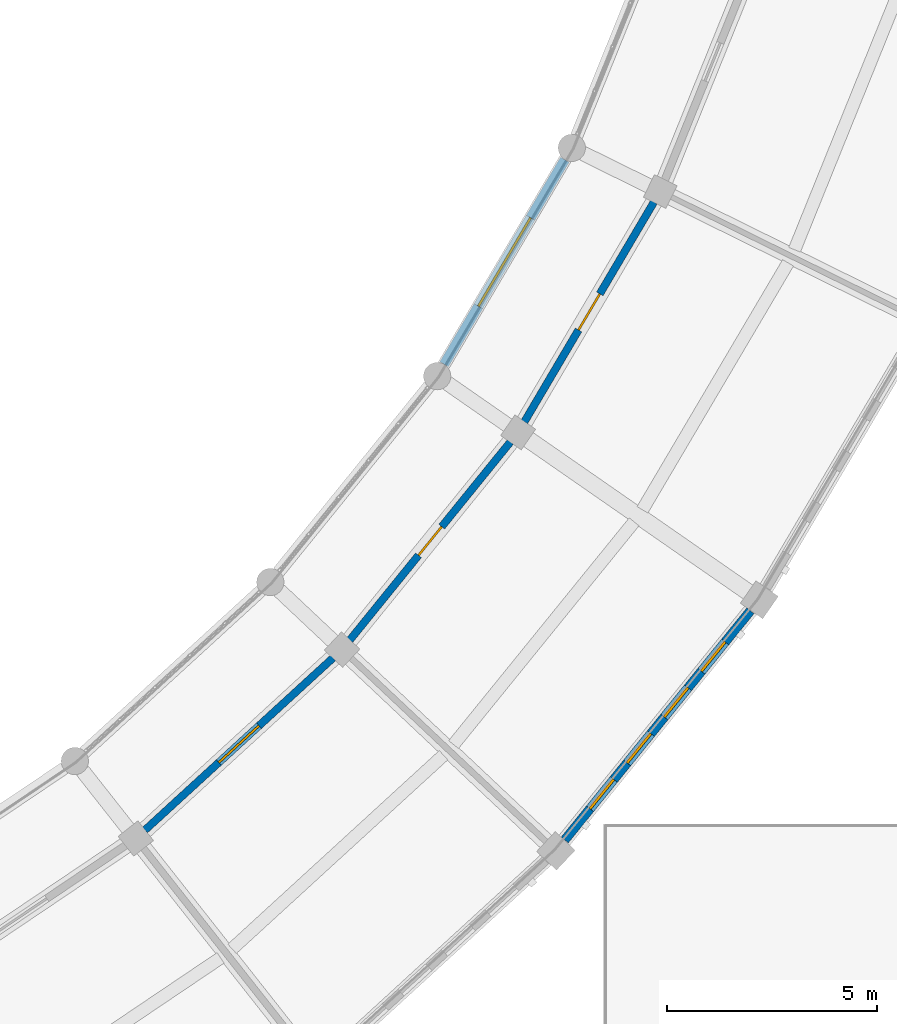
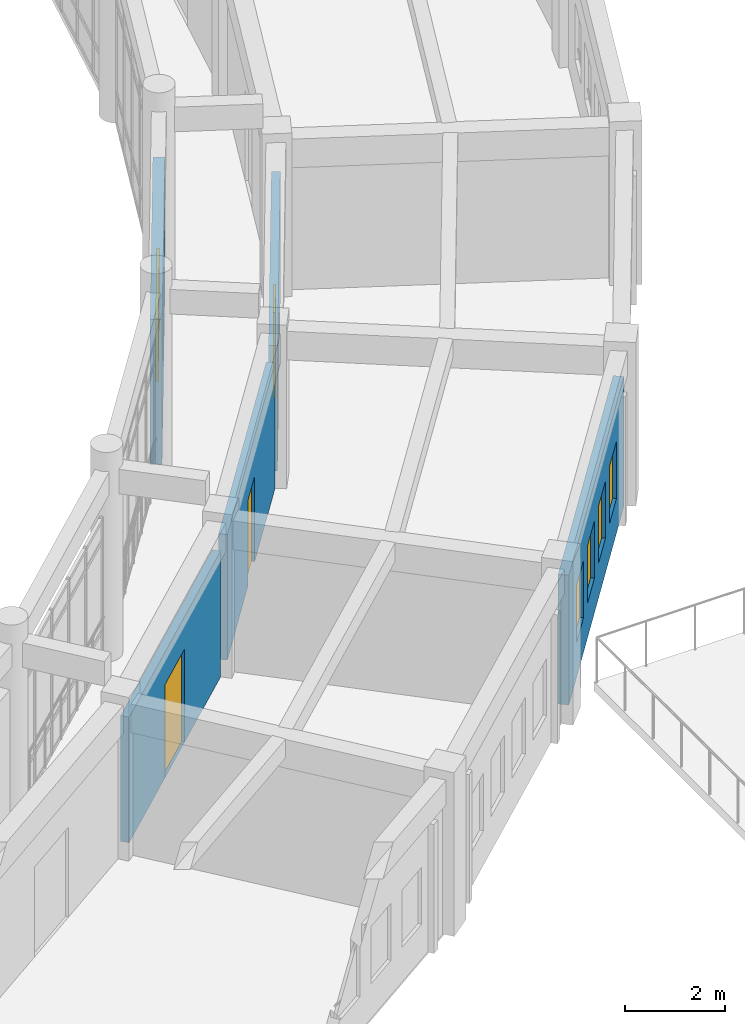
# One storey, part 125 of 159: 5 walls, 5 windows, 3 doors, 8 openings.
"""IFC4 building model written with IfcOpenShell, lengths in metres."""

import ifcopenshell
import ifcopenshell.guid

model = None  # the IFC model being written
_history = None  # IfcOwnerHistory: only IFC2X3 demands one
_inside = {}  # id of a spatial element -> (the spatial element, [elements in it])
_under = {}  # id of a project, library or spatial element -> (it, [spatial elements below it])
_declared = {}  # id of a project -> (the project, [libraries it declares])
_typed = {}  # id of a type object -> (the type object, [elements of that type])
_made_of = {}  # id of a material, layer set ... -> (it, [elements and type objects made of it])


def new_model(schema):
    """Start an empty IFC model of exactly this schema.

    Asked for "IFC4X3", IfcOpenShell would pick the latest addendum, in which some entities
    have other attributes; the version numbers below select the first issue.
    IFC2X3 requires an IfcOwnerHistory on every rooted entity: one is made here for all.
    """
    global model, _history
    if schema == "IFC4X3":
        model = ifcopenshell.file(schema_version=(4, 3, 0, 0))
    else:
        model = ifcopenshell.file(schema=schema)
    _inside.clear()
    _under.clear()
    _declared.clear()
    _typed.clear()
    _made_of.clear()
    _history = None
    if model.schema == "IFC2X3":
        org = make("IfcOrganization", Name="unknown")
        user = make(
            "IfcPersonAndOrganization",
            ThePerson=make("IfcPerson", FamilyName="unknown"),
            TheOrganization=org,
        )
        app = make(
            "IfcApplication",
            ApplicationDeveloper=org,
            Version="unknown",
            ApplicationFullName="unknown",
            ApplicationIdentifier="unknown",
        )
        _history = make(
            "IfcOwnerHistory",
            OwningUser=user,
            OwningApplication=app,
            ChangeAction="ADDED",
            CreationDate=0,
        )
    return model


def make(cls, **values):
    """One entity of the class cls with the attributes given. An attribute that is None is left unset."""
    return model.create_entity(
        cls, **{name: value for name, value in values.items() if value is not None}
    )


def rooted(cls, **values):
    """An entity with a GlobalId (a new one), such as an element, a storey or a relation."""
    return make(cls, GlobalId=ifcopenshell.guid.new(), OwnerHistory=_history, **values)


def si_unit(unit_type, name, prefix=None):
    """IfcSIUnit, for example si_unit("LENGTHUNIT", "METRE", prefix="MILLI")."""
    return make("IfcSIUnit", UnitType=unit_type, Prefix=prefix, Name=name)


def assignment(units):
    """IfcUnitAssignment: the units of a project."""
    return None if units is None else make("IfcUnitAssignment", Units=units)


def point(xyz):
    """IfcCartesianPoint."""
    return None if xyz is None else make("IfcCartesianPoint", Coordinates=xyz)


def direction(xyz):
    """IfcDirection."""
    return None if xyz is None else make("IfcDirection", DirectionRatios=xyz)


def frame(location, z_axis=None, x_axis=None):
    """IfcAxis2Placement3D, a coordinate frame: its origin and axes. An axis left out is left unset."""
    return make(
        "IfcAxis2Placement3D",
        Location=point(location),
        Axis=direction(z_axis),
        RefDirection=direction(x_axis),
    )


def frame_2d(location, x_axis=None):
    """IfcAxis2Placement2D, a coordinate frame in the plane: its origin and x axis."""
    return make(
        "IfcAxis2Placement2D", Location=point(location), RefDirection=direction(x_axis)
    )


def origin():
    """The frame at (0, 0, 0) with its axes left unset."""
    return frame((0.0, 0.0, 0.0))


def place(relative_to, where):
    """IfcLocalPlacement: puts the frame where relative to a parent placement (None: the world)."""
    return make(
        "IfcLocalPlacement", PlacementRelTo=relative_to, RelativePlacement=where
    )


def context(
    kind, dimensions, precision=None, world=None, true_north=None, identifier=None
):
    """IfcGeometricRepresentationContext, for example the 3D "Model" context."""
    return make(
        "IfcGeometricRepresentationContext",
        ContextIdentifier=identifier,
        ContextType=kind,
        CoordinateSpaceDimension=dimensions,
        Precision=precision,
        WorldCoordinateSystem=world,
        TrueNorth=true_north,
    )


def subcontext(parent, identifier, kind, view, scale=None):
    """IfcGeometricRepresentationSubContext, for example "Body" below "Model"."""
    return make(
        "IfcGeometricRepresentationSubContext",
        ContextIdentifier=identifier,
        ContextType=kind,
        ParentContext=parent,
        TargetScale=scale,
        TargetView=view,
    )


def project(units=None, contexts=None):
    """IfcProject with its units and contexts."""
    return rooted(
        "IfcProject",
        Name="project",
        RepresentationContexts=contexts,
        UnitsInContext=assignment(units),
    )


def spatial(cls, under=None, at=None, **own):
    """A site, building, storey or space (cls), placed at a placement, below another one or the project."""
    s = rooted(cls, ObjectPlacement=at, **own)
    if under is not None:
        _under.setdefault(under.id(), (under, []))[1].append(s)
    return s


def profile(cls, at=None, kind="AREA", **sizes):
    """A parametric profile (cls). Its sizes go by their IFC names, for example OverallWidth=200.0."""
    return make(cls, ProfileType=kind, Position=at, **sizes)


def rectangle(**sizes):
    """IfcRectangleProfileDef."""
    return profile("IfcRectangleProfileDef", **sizes)


def extrude(swept, where, along, depth):
    """IfcExtrudedAreaSolid: the profile swept, set in the frame where, extruded along a direction by depth."""
    return make(
        "IfcExtrudedAreaSolid",
        SweptArea=swept,
        Position=where,
        ExtrudedDirection=direction(along),
        Depth=depth,
    )


def shape(context_of_items, identifier, shape_type, items):
    """IfcShapeRepresentation: the items that make up one representation, for example the "Body"."""
    return make(
        "IfcShapeRepresentation",
        ContextOfItems=context_of_items,
        RepresentationIdentifier=identifier,
        RepresentationType=shape_type,
        Items=items,
    )


def material(Name=None, Category=None):
    """IfcMaterial."""
    return make("IfcMaterial", Name=Name, Category=Category)


def layer(
    of_material, thickness, ventilated=None, Name=None, Category=None, Priority=None
):
    """IfcMaterialLayer: one layer of a wall or slab, of a material (None: an air gap)."""
    return make(
        "IfcMaterialLayer",
        Material=of_material,
        LayerThickness=thickness,
        IsVentilated=ventilated,
        Name=Name,
        Category=Category,
        Priority=Priority,
    )


def layer_set(layers, Name=None):
    """IfcMaterialLayerSet."""
    return make("IfcMaterialLayerSet", MaterialLayers=layers, LayerSetName=Name)


def made_of(thing, what):
    """Note that an element or type object is made of a material, layer set ...; save() writes the relation."""
    if what is not None:
        _made_of.setdefault(what.id(), (what, []))[1].append(thing)
    return thing


def type_object(cls, material=None, **own):
    """A type object (cls), such as IfcWallType, which elements share."""
    return made_of(rooted(cls, **own), material)


def element(
    cls,
    number,
    at=None,
    inside=None,
    cuts=None,
    type_object=None,
    material=None,
    context=None,
    identifier="Body",
    shape_type=None,
    held_by="IfcProductDefinitionShape",
    body=None,
    shapes=None,
    **own,
):
    """One element of the class cls, such as IfcWall. Its Tag is "e" and its number.

    at: its placement. inside: the storey or other place that contains it. cuts: it is an
    opening in that element (IfcRelVoidsElement). A single representation is given by context,
    identifier, shape_type and body (its items); several are given by shapes. held_by: the class
    of the entity that holds the representations. save() writes the other relations.
    """
    e = rooted(cls, Tag="e%d" % number, ObjectPlacement=at, **own)
    if body is not None:
        shapes = [shape(context, identifier, shape_type, body)]
    if shapes is not None:
        e.Representation = make(held_by, Representations=shapes)
    if inside is not None:
        _inside.setdefault(inside.id(), (inside, []))[1].append(e)
    if cuts is not None:
        rooted(
            "IfcRelVoidsElement", RelatingBuildingElement=cuts, RelatedOpeningElement=e
        )
    if type_object is not None:
        _typed.setdefault(type_object.id(), (type_object, []))[1].append(e)
    return made_of(e, material)


def fill(opening, filler):
    """IfcRelFillsElement: the door or window that sits in an opening."""
    return rooted(
        "IfcRelFillsElement",
        RelatingOpeningElement=opening,
        RelatedBuildingElement=filler,
    )


def aggregate(whole, parts):
    """IfcRelAggregates: a whole, such as a stair, and the parts it consists of."""
    return rooted("IfcRelAggregates", RelatingObject=whole, RelatedObjects=parts)


def save(model, path):
    """Write the relations noted so far, then the file.

    IfcRelAggregates (storeys below a building ...), IfcRelContainedInSpatialStructure (elements
    in a storey), IfcRelDefinesByType, IfcRelAssociatesMaterial and IfcRelDeclares: one each for
    every whole, place, type object, material and project.
    """
    for whole, parts in _under.values():
        aggregate(whole, parts)
    for where, things in _inside.values():
        rooted(
            "IfcRelContainedInSpatialStructure",
            RelatedElements=things,
            RelatingStructure=where,
        )
    for kind, things in _typed.values():
        rooted("IfcRelDefinesByType", RelatedObjects=things, RelatingType=kind)
    for what, things in _made_of.values():
        rooted("IfcRelAssociatesMaterial", RelatedObjects=things, RelatingMaterial=what)
    for by, libraries in _declared.values():
        rooted("IfcRelDeclares", RelatingContext=by, RelatedDefinitions=libraries)
    model.write(path)


model = new_model("IFC4")

# Units and contexts
model_context = context("Model", 3, precision=1e-05, world=origin(), true_north=direction((0.0, 1.0)))
body_context = subcontext(model_context, "Body", "Model", "MODEL_VIEW")
ifc_project = project(units=[si_unit("LENGTHUNIT", "METRE"), si_unit("AREAUNIT", "SQUARE_METRE"), si_unit("VOLUMEUNIT", "CUBIC_METRE"), si_unit("PLANEANGLEUNIT", "RADIAN"), si_unit("MASSUNIT", "GRAM", prefix="KILO")], contexts=[model_context])

# Site, building, storey
site_placement = place(None, origin())
site = spatial("IfcSite", under=ifc_project, at=site_placement, CompositionType="ELEMENT")
building_placement = place(site_placement, origin())
building = spatial("IfcBuilding", under=site, at=building_placement, Name="Celadon Cloister-Ring School", CompositionType="ELEMENT")
storey_placement = place(building_placement, frame((0.0, 0.0, 4.5)))
storey = spatial("IfcBuildingStorey", under=building, at=storey_placement, Name="L01", CompositionType="ELEMENT", Elevation=4.5)

# Wall, opening, window
ifc_material_1 = material(Name="Rendered concrete blockwork", Category="masonry")
ifc_layer_1 = layer(ifc_material_1, 0.239990234375)
ifc_layer_set_1 = layer_set([ifc_layer_1], Name="Rendered concrete blockwork")
wall_type_1 = type_object("IfcWallType", Name="WT-EX3", PredefinedType="SOLIDWALL", material=ifc_layer_set_1)
wall_1_placement = place(storey_placement, frame((122.197998046875, 34.9560546875, 0.0), z_axis=(0.0, 0.0, 1.0), x_axis=(0.508142466777, 0.861273030727, 0.0)))
wall_1 = element("IfcWall", 1, at=wall_1_placement, inside=storey, type_object=wall_type_1, Name="Exterior Wall 0086", PredefinedType="SOLIDWALL", context=body_context, shape_type="SweptSolid", body=[
    extrude(rectangle(XDim=5.66357421875, YDim=0.239990234375, at=frame_2d((2.831787109375, 0.0))), origin(), (0.0, 0.0, 1.0), 3.550048828125),
])
opening_1_placement = place(wall_1_placement, frame((1.60693359375, 0.0, 0.89990234375)))
opening_1 = element("IfcOpeningElement", 2, at=opening_1_placement, cuts=wall_1, Name="Opening WN-40", PredefinedType="OPENING", context=body_context, shape_type="SweptSolid", body=[
    extrude(rectangle(XDim=2.449951171875, YDim=1.550048828125, at=frame_2d((1.22509765625, 0.77490234375))), frame((0.0, 0.1298828125, 0.0), z_axis=(0.0, -1.0, 0.0), x_axis=(1.0, 0.0, 0.0)), (0.0, 0.0, 1.0), 0.260009765625),
])
ifc_material_2 = material(Name="Tempered laminated insulating glass", Category="glass")
window_type_1 = type_object("IfcWindowType", Name="WN-40", PartitioningType="DOUBLE_PANEL_VERTICAL", PredefinedType="WINDOW", material=ifc_material_2)
window_1_placement = place(opening_1_placement, origin())
window_1 = element("IfcWindow", 3, at=window_1_placement, inside=storey, type_object=window_type_1, Name="Window 0231", OverallHeight=1.550048828125, OverallWidth=2.449951171875, PartitioningType="SINGLE_PANEL", PredefinedType="WINDOW", context=body_context, shape_type="SweptSolid", body=[
    extrude(rectangle(XDim=2.449951171875, YDim=1.550048828125, at=frame_2d((1.22509765625, 0.77490234375))), frame((0.0, 0.030029296875, 0.0), z_axis=(0.0, -1.0, 0.0), x_axis=(1.0, 0.0, 0.0)), (0.0, 0.0, 1.0), 0.06005859375),
])
fill(opening_1, window_1)

# Wall, openings, windows
ifc_material_3 = material(Name="Perforated terracotta clay brick masonry", Category="masonry")
ifc_layer_2 = layer(ifc_material_3, 0.219970703125)
ifc_layer_set_2 = layer_set([ifc_layer_2], Name="Perforated terracotta clay brick masonry")
wall_type_2 = type_object("IfcWallType", Name="WT-EX4", PredefinedType="SOLIDWALL", material=ifc_layer_set_2)
wall_2_placement = place(storey_placement, frame((129.5, 29.080078125, 0.0), z_axis=(0.0, 0.0, 1.0), x_axis=(-0.629497848331, -0.777002225831, 0.0)))
wall_2 = element("IfcWall", 4, at=wall_2_placement, inside=storey, type_object=wall_type_2, Name="Exterior Wall 0084", PredefinedType="SOLIDWALL", context=body_context, shape_type="SweptSolid", body=[
    extrude(rectangle(XDim=7.031005859375, YDim=0.219970703125, at=frame_2d((3.515625, 0.0))), origin(), (0.0, 0.0, 1.0), 3.172119140625),
])
opening_2_placement = place(wall_2_placement, frame((0.9560546875, 0.0, 0.85009765625)))
opening_2 = element("IfcOpeningElement", 5, at=opening_2_placement, cuts=wall_2, Name="Opening WN-21", PredefinedType="OPENING", context=body_context, shape_type="SweptSolid", body=[
    extrude(rectangle(XDim=0.89990234375, YDim=1.39990234375, at=frame_2d((0.449951171875, 0.699951171875))), frame((0.0, 0.1201171875, 0.0), z_axis=(0.0, -1.0, 0.0), x_axis=(1.0, 0.0, 0.0)), (0.0, 0.0, 1.0), 0.239990234375),
])
opening_3_placement = place(wall_2_placement, frame((2.362060546875, 0.0, 0.85009765625)))
opening_3 = element("IfcOpeningElement", 6, at=opening_3_placement, cuts=wall_2, Name="Opening WN-21", PredefinedType="OPENING", context=body_context, shape_type="SweptSolid", body=[
    extrude(rectangle(XDim=0.89990234375, YDim=1.39990234375, at=frame_2d((0.449951171875, 0.699951171875))), frame((0.0, 0.1201171875, 0.0), z_axis=(0.0, -1.0, 0.0), x_axis=(1.0, 0.0, 0.0)), (0.0, 0.0, 1.0), 0.239990234375),
])
opening_4_placement = place(wall_2_placement, frame((3.76904296875, 0.0, 0.85009765625)))
opening_4 = element("IfcOpeningElement", 7, at=opening_4_placement, cuts=wall_2, Name="Opening WN-21", PredefinedType="OPENING", context=body_context, shape_type="SweptSolid", body=[
    extrude(rectangle(XDim=0.89990234375, YDim=1.39990234375, at=frame_2d((0.449951171875, 0.699951171875))), frame((0.0, 0.1201171875, 0.0), z_axis=(0.0, -1.0, 0.0), x_axis=(1.0, 0.0, 0.0)), (0.0, 0.0, 1.0), 0.239990234375),
])
opening_5_placement = place(wall_2_placement, frame((5.175048828125, 0.0, 0.85009765625)))
opening_5 = element("IfcOpeningElement", 8, at=opening_5_placement, cuts=wall_2, Name="Opening WN-21", PredefinedType="OPENING", context=body_context, shape_type="SweptSolid", body=[
    extrude(rectangle(XDim=0.89990234375, YDim=1.39990234375, at=frame_2d((0.449951171875, 0.699951171875))), frame((0.0, 0.1201171875, 0.0), z_axis=(0.0, -1.0, 0.0), x_axis=(1.0, 0.0, 0.0)), (0.0, 0.0, 1.0), 0.239990234375),
])
ifc_material_4 = material(Name="Tempered laminated insulating glass", Category="glass")
window_type_2 = type_object("IfcWindowType", Name="WN-21", PartitioningType="SINGLE_PANEL", PredefinedType="WINDOW", material=ifc_material_4)
window_2_placement = place(opening_2_placement, origin())
window_2 = element("IfcWindow", 9, at=window_2_placement, inside=storey, type_object=window_type_2, Name="Window 0223", OverallHeight=1.39990234375, OverallWidth=0.89990234375, PartitioningType="SINGLE_PANEL", PredefinedType="WINDOW", context=body_context, shape_type="SweptSolid", body=[
    extrude(rectangle(XDim=0.89990234375, YDim=1.39990234375, at=frame_2d((0.449951171875, 0.699951171875))), frame((0.0, 0.030029296875, 0.0), z_axis=(0.0, -1.0, 0.0), x_axis=(1.0, 0.0, 0.0)), (0.0, 0.0, 1.0), 0.06005859375),
])
fill(opening_2, window_2)
window_3_placement = place(opening_3_placement, origin())
window_3 = element("IfcWindow", 10, at=window_3_placement, inside=storey, type_object=window_type_2, Name="Window 0224", OverallHeight=1.39990234375, OverallWidth=0.89990234375, PartitioningType="SINGLE_PANEL", PredefinedType="WINDOW", context=body_context, shape_type="SweptSolid", body=[
    extrude(rectangle(XDim=0.89990234375, YDim=1.39990234375, at=frame_2d((0.449951171875, 0.699951171875))), frame((0.0, 0.030029296875, 0.0), z_axis=(0.0, -1.0, 0.0), x_axis=(1.0, 0.0, 0.0)), (0.0, 0.0, 1.0), 0.06005859375),
])
fill(opening_3, window_3)
window_4_placement = place(opening_4_placement, origin())
window_4 = element("IfcWindow", 11, at=window_4_placement, inside=storey, type_object=window_type_2, Name="Window 0225", OverallHeight=1.39990234375, OverallWidth=0.89990234375, PartitioningType="SINGLE_PANEL", PredefinedType="WINDOW", context=body_context, shape_type="SweptSolid", body=[
    extrude(rectangle(XDim=0.89990234375, YDim=1.39990234375, at=frame_2d((0.449951171875, 0.699951171875))), frame((0.0, 0.030029296875, 0.0), z_axis=(0.0, -1.0, 0.0), x_axis=(1.0, 0.0, 0.0)), (0.0, 0.0, 1.0), 0.06005859375),
])
fill(opening_4, window_4)
window_5_placement = place(opening_5_placement, origin())
window_5 = element("IfcWindow", 12, at=window_5_placement, inside=storey, type_object=window_type_2, Name="Window 0226", OverallHeight=1.39990234375, OverallWidth=0.89990234375, PartitioningType="SINGLE_PANEL", PredefinedType="WINDOW", context=body_context, shape_type="SweptSolid", body=[
    extrude(rectangle(XDim=0.89990234375, YDim=1.39990234375, at=frame_2d((0.449951171875, 0.699951171875))), frame((0.0, 0.030029296875, 0.0), z_axis=(0.0, -1.0, 0.0), x_axis=(1.0, 0.0, 0.0)), (0.0, 0.0, 1.0), 0.06005859375),
])
fill(opening_5, window_5)

# Wall, opening, door
ifc_material_5 = material(Name="Plastered hollow concrete masonry", Category="masonry")
ifc_layer_3 = layer(ifc_material_5, 0.179931640625)
ifc_layer_set_3 = layer_set([ifc_layer_3], Name="Plastered hollow concrete masonry")
wall_type_3 = type_object("IfcWallType", Name="WT-PT2", PredefinedType="PARTITIONING", material=ifc_layer_set_3)
wall_3_placement = place(storey_placement, frame((115.06396484375, 23.85009765625, 0.0), z_axis=(0.0, 0.0, 1.0), x_axis=(0.737595632739, 0.675242684199, 0.0)))
wall_3 = element("IfcWall", 13, at=wall_3_placement, inside=storey, type_object=wall_type_3, Name="Interior Wall 0524", PredefinedType="PARTITIONING", context=body_context, shape_type="SweptSolid", body=[
    extrude(rectangle(XDim=6.080810546875, YDim=0.179931640625, at=frame_2d((3.04052734375, 0.0))), origin(), (0.0, 0.0, 1.0), 3.072021484375),
])
opening_6_placement = place(wall_3_placement, frame((2.389892578125, 0.0, 0.0)))
opening_6 = element("IfcOpeningElement", 14, at=opening_6_placement, cuts=wall_3, Name="Opening D-0162", PredefinedType="OPENING", context=body_context, shape_type="SweptSolid", body=[
    extrude(rectangle(XDim=1.300048828125, YDim=2.280029296875, at=frame_2d((0.64990234375, 1.14013671875))), frame((0.0, 0.10009765625, 0.0), z_axis=(0.0, -1.0, 0.0), x_axis=(1.0, 0.0, 0.0)), (0.0, 0.0, 1.0), 0.199951171875),
])
ifc_material_6 = material(Name="Galvanised fire-rated hollow steel leaf", Category="steel")
door_type_1 = type_object("IfcDoorType", Name="DT-16", OperationType="NOTDEFINED", PredefinedType="DOOR", material=ifc_material_6)
door_1_placement = place(opening_6_placement, origin())
door_1 = element("IfcDoor", 15, at=door_1_placement, inside=storey, type_object=door_type_1, Name="Door D-0162", OperationType="SINGLE_SWING_RIGHT", OverallHeight=2.280029296875, OverallWidth=1.300048828125, PredefinedType="DOOR", context=body_context, shape_type="SweptSolid", body=[
    extrude(rectangle(XDim=1.300048828125, YDim=2.280029296875, at=frame_2d((0.64990234375, 1.14013671875))), frame((0.0, 0.02490234375, 0.0), z_axis=(0.0, -1.0, 0.0), x_axis=(1.0, 0.0, 0.0)), (0.0, 0.0, 1.0), 0.050048828125),
])
fill(opening_6, door_1)

wall_4_placement = place(storey_placement, frame((119.948974609375, 28.381103515625, 0.0), z_axis=(0.0, 0.0, 1.0), x_axis=(0.629617338729, 0.776905404005, 0.0)))
wall_4 = element("IfcWall", 16, at=wall_4_placement, inside=storey, type_object=wall_type_3, Name="Interior Wall 0525", PredefinedType="PARTITIONING", context=body_context, shape_type="SweptSolid", body=[
    extrude(rectangle(XDim=6.08154296875, YDim=0.179931640625, at=frame_2d((3.040771484375, 0.0))), origin(), (0.0, 0.0, 1.0), 3.072021484375),
])
opening_7_placement = place(wall_4_placement, frame((2.60107421875, 0.0, 0.0)))
opening_7 = element("IfcOpeningElement", 17, at=opening_7_placement, cuts=wall_4, Name="Opening D-0163", PredefinedType="OPENING", context=body_context, shape_type="SweptSolid", body=[
    extrude(rectangle(XDim=0.8798828125, YDim=2.10009765625, at=frame_2d((0.43994140625, 1.050048828125))), frame((0.0, 0.10009765625, 0.0), z_axis=(0.0, -1.0, 0.0), x_axis=(1.0, 0.0, 0.0)), (0.0, 0.0, 1.0), 0.199951171875),
])
ifc_material_7 = material(Name="Solid-core fire-rated hardwood leaf", Category="wood")
door_type_2 = type_object("IfcDoorType", Name="DT-01", OperationType="NOTDEFINED", PredefinedType="DOOR", material=ifc_material_7)
door_2_placement = place(opening_7_placement, origin())
door_2 = element("IfcDoor", 18, at=door_2_placement, inside=storey, type_object=door_type_2, Name="Door D-0163", OperationType="SINGLE_SWING_LEFT", OverallHeight=2.10009765625, OverallWidth=0.8798828125, PredefinedType="DOOR", context=body_context, shape_type="SweptSolid", body=[
    extrude(rectangle(XDim=0.8798828125, YDim=2.10009765625, at=frame_2d((0.43994140625, 1.050048828125))), frame((0.0, 0.02490234375, 0.0), z_axis=(0.0, -1.0, 0.0), x_axis=(1.0, 0.0, 0.0)), (0.0, 0.0, 1.0), 0.050048828125),
])
fill(opening_7, door_2)

wall_5_placement = place(storey_placement, frame((124.111083984375, 33.5849609375, 0.0), z_axis=(0.0, 0.0, 1.0), x_axis=(0.507886500356, 0.861423997086, 0.0)))
wall_5 = element("IfcWall", 19, at=wall_5_placement, inside=storey, type_object=wall_type_3, Name="Interior Wall 0526", PredefinedType="PARTITIONING", context=body_context, shape_type="SweptSolid", body=[
    extrude(rectangle(XDim=6.081787109375, YDim=0.179931640625, at=frame_2d((3.041015625, 0.0))), origin(), (0.0, 0.0, 1.0), 3.072021484375),
])
opening_8_placement = place(wall_5_placement, frame((2.541015625, 0.0, 0.0)))
opening_8 = element("IfcOpeningElement", 20, at=opening_8_placement, cuts=wall_5, Name="Opening D-0164", PredefinedType="OPENING", context=body_context, shape_type="SweptSolid", body=[
    extrude(rectangle(XDim=1.0, YDim=2.10009765625, at=frame_2d((0.5, 1.050048828125))), frame((0.0, 0.10009765625, 0.0), z_axis=(0.0, -1.0, 0.0), x_axis=(1.0, 0.0, 0.0)), (0.0, 0.0, 1.0), 0.199951171875),
])
ifc_material_8 = material(Name="Solid-core fire-rated hardwood leaf", Category="wood")
door_type_3 = type_object("IfcDoorType", Name="DT-04", OperationType="NOTDEFINED", PredefinedType="DOOR", material=ifc_material_8)
door_3_placement = place(opening_8_placement, origin())
door_3 = element("IfcDoor", 21, at=door_3_placement, inside=storey, type_object=door_type_3, Name="Door D-0164", OperationType="SINGLE_SWING_RIGHT", OverallHeight=2.10009765625, OverallWidth=1.0, PredefinedType="DOOR", context=body_context, shape_type="SweptSolid", body=[
    extrude(rectangle(XDim=1.0, YDim=2.10009765625, at=frame_2d((0.5, 1.050048828125))), frame((0.0, 0.02490234375, 0.0), z_axis=(0.0, -1.0, 0.0), x_axis=(1.0, 0.0, 0.0)), (0.0, 0.0, 1.0), 0.050048828125),
])
fill(opening_8, door_3)

save(model, "model.ifc")
